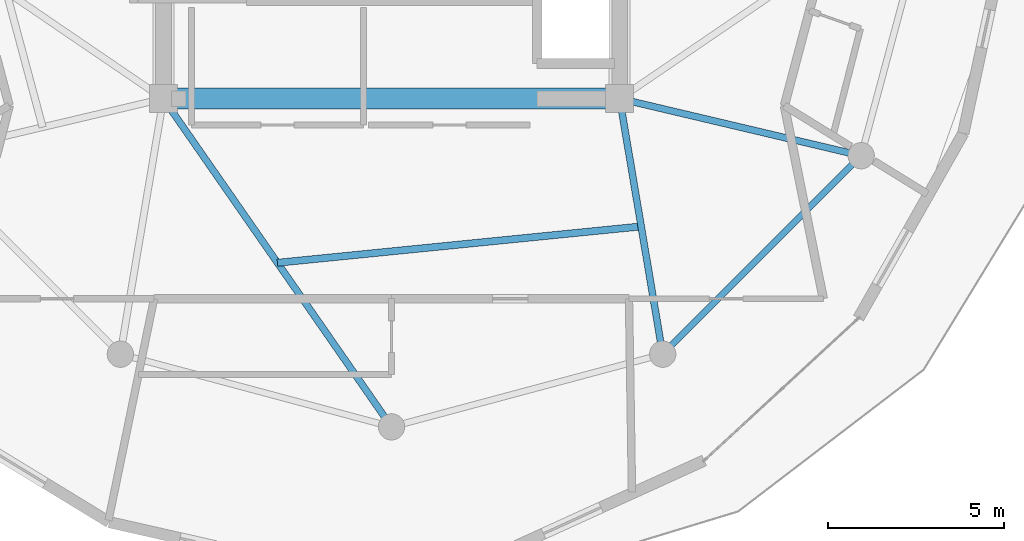
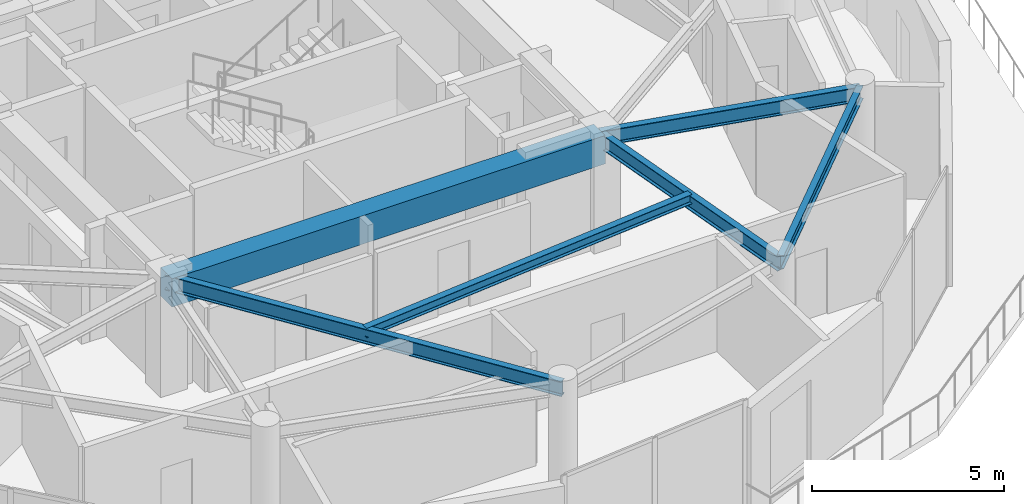
# One storey, part 6 of 22: 6 beams.
"""IFC4 building model written with IfcOpenShell, lengths in metres."""

from ifc_helpers import new_model, si_unit, direction, frame, origin, origin_2d, place, context, subcontext, project, spatial, rectangle, i_section, extrude, material, material_profile, profile_set, type_object, element, save


model = new_model("IFC4")

# Units and contexts
model_context = context("Model", 3, precision=1e-05, world=origin(), true_north=direction((0.0, 1.0)))
body_context = subcontext(model_context, "Body", "Model", "MODEL_VIEW")
ifc_project = project(units=[si_unit("LENGTHUNIT", "METRE"), si_unit("AREAUNIT", "SQUARE_METRE"), si_unit("VOLUMEUNIT", "CUBIC_METRE"), si_unit("PLANEANGLEUNIT", "RADIAN"), si_unit("MASSUNIT", "GRAM", prefix="KILO")], contexts=[model_context])

# Site, building, storey
site_placement = place(None, origin())
site = spatial("IfcSite", under=ifc_project, at=site_placement, CompositionType="ELEMENT")
building_placement = place(site_placement, origin())
building = spatial("IfcBuilding", under=site, at=building_placement, Name="Solvirekh Grand Hotel", CompositionType="ELEMENT")
storey_placement = place(building_placement, frame((0.0, 0.0, 289.60009765625)))
storey = spatial("IfcBuildingStorey", under=building, at=storey_placement, Name="L75", CompositionType="ELEMENT", Elevation=289.60009765625)

# Beams
ifc_material_1 = material(Name="Concrete C50/60", Category="concrete")
ifc_material_profile_1 = material_profile(ifc_material_1, rectangle(XDim=0.60009765625, YDim=0.89990234375, at=origin_2d()), Name="RC BEAM 600X900")
ifc_profile_set_1 = profile_set([ifc_material_profile_1], Name="Concrete C50/60")
beam_type_1 = type_object("IfcBeamType", Name="Beam_Core_RC900", PredefinedType="BEAM", material=ifc_profile_set_1)
beam_1_placement = place(storey_placement, frame((-6.5, -6.10009765625, 3.119873046875), z_axis=(1.0, 0.0, 0.0), x_axis=(0.0, 1.0, 0.0)))
element("IfcBeam", 1, at=beam_1_placement, inside=storey, type_object=beam_type_1, Name="L75 core coupling ring beam 1", PredefinedType="BEAM", context=body_context, shape_type="SweptSolid", body=[
    extrude(rectangle(XDim=0.60009765625, YDim=0.89990234375, at=origin_2d()), origin(), (0.0, 0.0, 1.0), 13.0),
])
ifc_material_2 = material(Name="Steel S355", Category="steel")
ifc_material_profile_2 = material_profile(ifc_material_2, i_section(OverallWidth=0.194091796875, OverallDepth=0.468994140625, WebThickness=0.010986328125, FlangeThickness=0.01904296875, FilletRadius=0.012939453125, at=origin_2d()), Name="W460X106")
ifc_profile_set_2 = profile_set([ifc_material_profile_2], Name="Steel S355")
beam_type_2 = type_object("IfcBeamType", Name="Beam_Radial_W460H", PredefinedType="BEAM", material=ifc_profile_set_2)
beam_2_placement = place(storey_placement, frame((-6.5, -6.10009765625, 3.3349609375), z_axis=(0.570813192472, -0.821079959139, 0.0), x_axis=(0.821079959139, 0.570813192472, 0.0)))
element("IfcBeam", 2, at=beam_2_placement, inside=storey, type_object=beam_type_2, Name="L75 radial floor beam R10", PredefinedType="BEAM", context=body_context, shape_type="SweptSolid", body=[
    extrude(i_section(OverallWidth=0.194091796875, OverallDepth=0.468994140625, WebThickness=0.010986328125, FlangeThickness=0.01904296875, FilletRadius=0.012939453125, at=origin_2d()), origin(), (0.0, 0.0, 1.0), 11.38720703125),
])
beam_3_placement = place(storey_placement, frame((6.5, -6.10009765625, 3.3349609375), z_axis=(0.165954049106, -0.986133486697, 0.0), x_axis=(0.986133486697, 0.165954049106, 0.0)))
element("IfcBeam", 3, at=beam_3_placement, inside=storey, type_object=beam_type_2, Name="L75 radial floor beam R11", PredefinedType="BEAM", context=body_context, shape_type="SweptSolid", body=[
    extrude(i_section(OverallWidth=0.194091796875, OverallDepth=0.468994140625, WebThickness=0.010986328125, FlangeThickness=0.01904296875, FilletRadius=0.012939453125, at=origin_2d()), origin(), (0.0, 0.0, 1.0), 7.382080078125),
])
beam_4_placement = place(storey_placement, frame((6.5, -6.10009765625, 3.3349609375), z_axis=(0.973221147544, -0.229870828888, 0.0), x_axis=(0.229870828888, 0.973221147544, 0.0)))
element("IfcBeam", 4, at=beam_4_placement, inside=storey, type_object=beam_type_2, Name="L75 radial floor beam R12", PredefinedType="BEAM", context=body_context, shape_type="SweptSolid", body=[
    extrude(i_section(OverallWidth=0.194091796875, OverallDepth=0.468994140625, WebThickness=0.010986328125, FlangeThickness=0.01904296875, FilletRadius=0.012939453125, at=origin_2d()), origin(), (0.0, 0.0, 1.0), 7.069091796875),
])
ifc_material_profile_3 = material_profile(ifc_material_2, i_section(OverallWidth=0.202880859375, OverallDepth=0.302978515625, WebThickness=0.008056640625, FlangeThickness=0.012939453125, FilletRadius=0.010009765625, at=origin_2d()), Name="W310X60")
ifc_profile_set_3 = profile_set([ifc_material_profile_3], Name="Steel S355")
beam_type_3 = type_object("IfcBeamType", Name="Joist_Floor_W310", PredefinedType="JOIST", material=ifc_profile_set_3)
beam_5_placement = place(storey_placement, frame((-3.25, -10.77490234375, 3.4189453125), z_axis=(0.995049485097, 0.099380693338, 0.0), x_axis=(-0.099380693338, 0.995049485097, 0.0)))
element("IfcBeam", 5, at=beam_5_placement, inside=storey, type_object=beam_type_3, Name="L75 secondary composite floor joist 10", PredefinedType="JOIST", context=body_context, shape_type="SweptSolid", body=[
    extrude(i_section(OverallWidth=0.202880859375, OverallDepth=0.302978515625, WebThickness=0.008056640625, FlangeThickness=0.012939453125, FilletRadius=0.010009765625, at=origin_2d()), origin(), (0.0, 0.0, 1.0), 10.41357421875),
])
ifc_material_profile_4 = material_profile(ifc_material_2, i_section(OverallWidth=0.180908203125, OverallDepth=0.4169921875, WebThickness=0.010009765625, FlangeThickness=0.01611328125, FilletRadius=0.011962890625, at=origin_2d()), Name="W410X85")
ifc_profile_set_4 = profile_set([ifc_material_profile_4], Name="Steel S355")
beam_type_4 = type_object("IfcBeamType", Name="Spandrel_Ring_W410", PredefinedType="SPANDREL", material=ifc_profile_set_4)
beam_6_placement = place(storey_placement, frame((7.72509765625, -13.3798828125, 3.36181640625), z_axis=(0.707106781187, 0.707106781187, 0.0), x_axis=(-0.707106781187, 0.707106781187, 0.0)))
element("IfcBeam", 6, at=beam_6_placement, inside=storey, type_object=beam_type_4, Name="L75 perimeter spandrel beam 11", PredefinedType="SPANDREL", context=body_context, shape_type="SweptSolid", body=[
    extrude(i_section(OverallWidth=0.180908203125, OverallDepth=0.4169921875, WebThickness=0.010009765625, FlangeThickness=0.01611328125, FilletRadius=0.011962890625, at=origin_2d()), origin(), (0.0, 0.0, 1.0), 7.9970703125),
])

save(model, "model.ifc")
